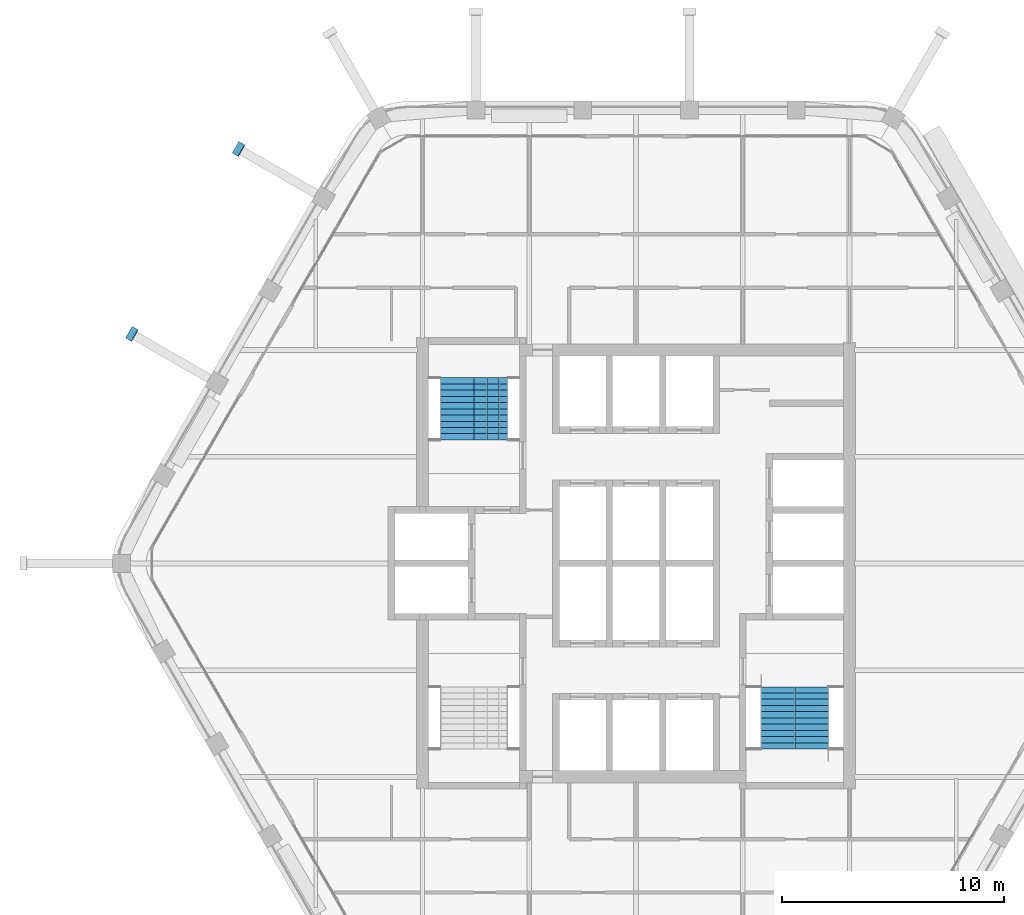
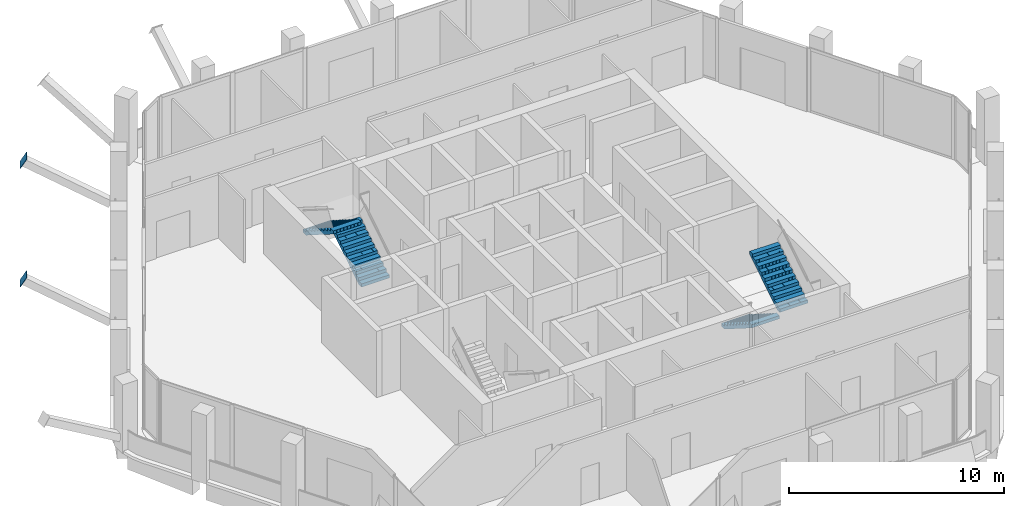
# One storey, part 11 of 14: 4 stair flights, 2 discrete accessories, 2 elements without a shape of their own.
"""IFC4 building model written with IfcOpenShell, lengths in metres."""

from ifc_helpers import new_model, si_unit, direction, frame, origin, origin_2d, place, context, subcontext, project, spatial, polyline, rectangle, outline, extrude, material, type_object, element, aggregate, save


model = new_model("IFC4")

# Units and contexts
model_context = context("Model", 3, precision=1e-05, world=origin(), true_north=direction((0.0, 1.0)))
body_context = subcontext(model_context, "Body", "Model", "MODEL_VIEW")
ifc_project = project(units=[si_unit("LENGTHUNIT", "METRE"), si_unit("AREAUNIT", "SQUARE_METRE"), si_unit("VOLUMEUNIT", "CUBIC_METRE"), si_unit("PLANEANGLEUNIT", "RADIAN"), si_unit("MASSUNIT", "GRAM", prefix="KILO")], contexts=[model_context])

# Site, building, storey
site_placement = place(None, origin())
site = spatial("IfcSite", under=ifc_project, at=site_placement, CompositionType="ELEMENT")
building_placement = place(site_placement, origin())
building = spatial("IfcBuilding", under=site, at=building_placement, Name="Kolab Exchange Tower", CompositionType="ELEMENT")
storey_placement = place(building_placement, frame((0.0, 0.0, 250.10009765625)))
storey = spatial("IfcBuildingStorey", under=building, at=storey_placement, Name="L55", CompositionType="ELEMENT", Elevation=250.10009765625)

# Stair, stair flights
ifc_material = material(Name="Concrete C50/60", Category="concrete")
stair_type_1 = type_object("IfcStairType", Name="STAIR ST1 RISER 177.3", PredefinedType="HALF_TURN_STAIR", material=ifc_material)
stair_1_placement = place(storey_placement, origin())
stair_1 = element("IfcStair", 1, at=stair_1_placement, inside=storey, type_object=stair_type_1, Name="Stair 1", PredefinedType="HALF_TURN_STAIR")
stair_flight_type = type_object("IfcStairFlightType", Name="STAIR FLIGHT 1500 RISER 177.3", PredefinedType="STRAIGHT", material=ifc_material)
stair_flight_1_placement = place(storey_placement, frame((-6.527587890625, 5.550048828125, 0.0), z_axis=(0.0, 0.0, 1.0), x_axis=(0.0, 1.0, 0.0)))
stair_flight_1 = element("IfcStairFlight", 2, at=stair_flight_1_placement, type_object=stair_flight_type, Name="ST1 flight 1", NumberOfRisers=11, NumberOfTreads=10, PredefinedType="STRAIGHT", RiserHeight=0.177272727, TreadLength=0.28, context=body_context, shape_type="SweptSolid", body=[
    extrude(outline(polyline([(0.0, 0.0), (0.0, 0.17724609375), (0.280029296875, 0.17724609375), (0.280029296875, 0.3544921875), (0.56005859375, 0.3544921875), (0.56005859375, 0.53173828125), (0.840087890625, 0.53173828125), (0.840087890625, 0.708984375), (1.1201171875, 0.708984375), (1.1201171875, 0.886474609375), (1.39990234375, 0.886474609375), (1.39990234375, 1.063720703125), (1.679931640625, 1.063720703125), (1.679931640625, 1.240966796875), (1.9599609375, 1.240966796875), (1.9599609375, 1.418212890625), (2.239990234375, 1.418212890625), (2.239990234375, 1.595458984375), (2.52001953125, 1.595458984375), (2.52001953125, 1.772705078125), (2.800048828125, 1.772705078125), (2.800048828125, 1.949951171875), (2.800048828125, 1.59521484375), (0.2802734375, 0.0), (0.0, 0.0)])), frame((0.0, 0.75, 0.0), z_axis=(0.0, -1.0, 0.0), x_axis=(1.0, 0.0, 0.0)), (0.0, 0.0, 1.0), 0.185791015625),
    extrude(outline(polyline([(0.0, 0.0), (0.0, 0.17724609375), (0.280029296875, 0.17724609375), (0.280029296875, 0.3544921875), (0.56005859375, 0.3544921875), (0.56005859375, 0.53173828125), (0.840087890625, 0.53173828125), (0.840087890625, 0.708984375), (1.1201171875, 0.708984375), (1.1201171875, 0.886474609375), (1.39990234375, 0.886474609375), (1.39990234375, 1.063720703125), (1.679931640625, 1.063720703125), (1.679931640625, 1.240966796875), (1.9599609375, 1.240966796875), (1.9599609375, 1.418212890625), (2.239990234375, 1.418212890625), (2.239990234375, 1.595458984375), (2.52001953125, 1.595458984375), (2.52001953125, 1.772705078125), (2.800048828125, 1.772705078125), (2.800048828125, 1.949951171875), (2.800048828125, 1.59521484375), (0.2802734375, 0.0), (0.0, 0.0)])), frame((0.0, 0.562255859375, 0.0), z_axis=(0.0, -1.0, 0.0), x_axis=(1.0, 0.0, 0.0)), (0.0, 0.0, 1.0), 0.185791015625),
    extrude(outline(polyline([(0.0, 0.0), (0.0, 0.17724609375), (0.280029296875, 0.17724609375), (0.280029296875, 0.3544921875), (0.56005859375, 0.3544921875), (0.56005859375, 0.53173828125), (0.840087890625, 0.53173828125), (0.840087890625, 0.708984375), (1.1201171875, 0.708984375), (1.1201171875, 0.886474609375), (1.39990234375, 0.886474609375), (1.39990234375, 1.063720703125), (1.679931640625, 1.063720703125), (1.679931640625, 1.240966796875), (1.9599609375, 1.240966796875), (1.9599609375, 1.418212890625), (2.239990234375, 1.418212890625), (2.239990234375, 1.595458984375), (2.52001953125, 1.595458984375), (2.52001953125, 1.772705078125), (2.800048828125, 1.772705078125), (2.800048828125, 1.949951171875), (2.800048828125, 1.59521484375), (0.2802734375, 0.0), (0.0, 0.0)])), frame((0.0, 0.37451171875, 0.0), z_axis=(0.0, -1.0, 0.0), x_axis=(1.0, 0.0, 0.0)), (0.0, 0.0, 1.0), 0.185791015625),
    extrude(outline(polyline([(0.0, 0.0), (0.0, 0.17724609375), (0.280029296875, 0.17724609375), (0.280029296875, 0.3544921875), (0.56005859375, 0.3544921875), (0.56005859375, 0.53173828125), (0.840087890625, 0.53173828125), (0.840087890625, 0.708984375), (1.1201171875, 0.708984375), (1.1201171875, 0.886474609375), (1.39990234375, 0.886474609375), (1.39990234375, 1.063720703125), (1.679931640625, 1.063720703125), (1.679931640625, 1.240966796875), (1.9599609375, 1.240966796875), (1.9599609375, 1.418212890625), (2.239990234375, 1.418212890625), (2.239990234375, 1.595458984375), (2.52001953125, 1.595458984375), (2.52001953125, 1.772705078125), (2.800048828125, 1.772705078125), (2.800048828125, 1.949951171875), (2.800048828125, 1.59521484375), (0.2802734375, 0.0), (0.0, 0.0)])), frame((0.0, 0.186767578125, 0.0), z_axis=(0.0, -1.0, 0.0), x_axis=(1.0, 0.0, 0.0)), (0.0, 0.0, 1.0), 0.185791015625),
    extrude(outline(polyline([(0.0, 0.0), (0.0, 0.17724609375), (0.280029296875, 0.17724609375), (0.280029296875, 0.3544921875), (0.56005859375, 0.3544921875), (0.56005859375, 0.53173828125), (0.840087890625, 0.53173828125), (0.840087890625, 0.708984375), (1.1201171875, 0.708984375), (1.1201171875, 0.886474609375), (1.39990234375, 0.886474609375), (1.39990234375, 1.063720703125), (1.679931640625, 1.063720703125), (1.679931640625, 1.240966796875), (1.9599609375, 1.240966796875), (1.9599609375, 1.418212890625), (2.239990234375, 1.418212890625), (2.239990234375, 1.595458984375), (2.52001953125, 1.595458984375), (2.52001953125, 1.772705078125), (2.800048828125, 1.772705078125), (2.800048828125, 1.949951171875), (2.800048828125, 1.59521484375), (0.2802734375, 0.0), (0.0, 0.0)])), frame((0.0, -0.0009765625, 0.0), z_axis=(0.0, -1.0, 0.0), x_axis=(1.0, 0.0, 0.0)), (0.0, 0.0, 1.0), 0.185791015625),
    extrude(outline(polyline([(0.0, 0.0), (0.0, 0.17724609375), (0.280029296875, 0.17724609375), (0.280029296875, 0.3544921875), (0.56005859375, 0.3544921875), (0.56005859375, 0.53173828125), (0.840087890625, 0.53173828125), (0.840087890625, 0.708984375), (1.1201171875, 0.708984375), (1.1201171875, 0.886474609375), (1.39990234375, 0.886474609375), (1.39990234375, 1.063720703125), (1.679931640625, 1.063720703125), (1.679931640625, 1.240966796875), (1.9599609375, 1.240966796875), (1.9599609375, 1.418212890625), (2.239990234375, 1.418212890625), (2.239990234375, 1.595458984375), (2.52001953125, 1.595458984375), (2.52001953125, 1.772705078125), (2.800048828125, 1.772705078125), (2.800048828125, 1.949951171875), (2.800048828125, 1.59521484375), (0.2802734375, 0.0), (0.0, 0.0)])), frame((0.0, -0.188720703125, 0.0), z_axis=(0.0, -1.0, 0.0), x_axis=(1.0, 0.0, 0.0)), (0.0, 0.0, 1.0), 0.185791015625),
    extrude(outline(polyline([(0.0, 0.0), (0.0, 0.17724609375), (0.280029296875, 0.17724609375), (0.280029296875, 0.3544921875), (0.56005859375, 0.3544921875), (0.56005859375, 0.53173828125), (0.840087890625, 0.53173828125), (0.840087890625, 0.708984375), (1.1201171875, 0.708984375), (1.1201171875, 0.886474609375), (1.39990234375, 0.886474609375), (1.39990234375, 1.063720703125), (1.679931640625, 1.063720703125), (1.679931640625, 1.240966796875), (1.9599609375, 1.240966796875), (1.9599609375, 1.418212890625), (2.239990234375, 1.418212890625), (2.239990234375, 1.595458984375), (2.52001953125, 1.595458984375), (2.52001953125, 1.772705078125), (2.800048828125, 1.772705078125), (2.800048828125, 1.949951171875), (2.800048828125, 1.59521484375), (0.2802734375, 0.0), (0.0, 0.0)])), frame((0.0, -0.37646484375, 0.0), z_axis=(0.0, -1.0, 0.0), x_axis=(1.0, 0.0, 0.0)), (0.0, 0.0, 1.0), 0.185791015625),
    extrude(outline(polyline([(0.0, 0.0), (0.0, 0.17724609375), (0.280029296875, 0.17724609375), (0.280029296875, 0.3544921875), (0.56005859375, 0.3544921875), (0.56005859375, 0.53173828125), (0.840087890625, 0.53173828125), (0.840087890625, 0.708984375), (1.1201171875, 0.708984375), (1.1201171875, 0.886474609375), (1.39990234375, 0.886474609375), (1.39990234375, 1.063720703125), (1.679931640625, 1.063720703125), (1.679931640625, 1.240966796875), (1.9599609375, 1.240966796875), (1.9599609375, 1.418212890625), (2.239990234375, 1.418212890625), (2.239990234375, 1.595458984375), (2.52001953125, 1.595458984375), (2.52001953125, 1.772705078125), (2.800048828125, 1.772705078125), (2.800048828125, 1.949951171875), (2.800048828125, 1.59521484375), (0.2802734375, 0.0), (0.0, 0.0)])), frame((0.0, -0.564208984375, 0.0), z_axis=(0.0, -1.0, 0.0), x_axis=(1.0, 0.0, 0.0)), (0.0, 0.0, 1.0), 0.185791015625),
])
stair_flight_2_placement = place(storey_placement, frame((-8.047607421875, 8.35009765625, 1.949951171875), z_axis=(0.0, 0.0, 1.0), x_axis=(0.0, -1.0, 0.0)))
stair_flight_2 = element("IfcStairFlight", 3, at=stair_flight_2_placement, type_object=stair_flight_type, Name="ST1 flight 2", NumberOfRisers=11, NumberOfTreads=10, PredefinedType="STRAIGHT", RiserHeight=0.177272727, TreadLength=0.28, context=body_context, shape_type="SweptSolid", body=[
    extrude(outline(polyline([(0.0, 0.0), (0.0, 0.17724609375), (0.280029296875, 0.17724609375), (0.280029296875, 0.3544921875), (0.56005859375, 0.3544921875), (0.56005859375, 0.53173828125), (0.840087890625, 0.53173828125), (0.840087890625, 0.708984375), (1.1201171875, 0.708984375), (1.1201171875, 0.886474609375), (1.39990234375, 0.886474609375), (1.39990234375, 1.063720703125), (1.679931640625, 1.063720703125), (1.679931640625, 1.240966796875), (1.9599609375, 1.240966796875), (1.9599609375, 1.418212890625), (2.239990234375, 1.418212890625), (2.239990234375, 1.595458984375), (2.52001953125, 1.595458984375), (2.52001953125, 1.772705078125), (2.800048828125, 1.772705078125), (2.800048828125, 1.949951171875), (2.800048828125, 1.59521484375), (0.2802734375, 0.0), (0.0, 0.0)])), frame((0.0, 0.75, 0.0), z_axis=(0.0, -1.0, 0.0), x_axis=(1.0, 0.0, 0.0)), (0.0, 0.0, 1.0), 0.185791015625),
    extrude(outline(polyline([(0.0, 0.0), (0.0, 0.17724609375), (0.280029296875, 0.17724609375), (0.280029296875, 0.3544921875), (0.56005859375, 0.3544921875), (0.56005859375, 0.53173828125), (0.840087890625, 0.53173828125), (0.840087890625, 0.708984375), (1.1201171875, 0.708984375), (1.1201171875, 0.886474609375), (1.39990234375, 0.886474609375), (1.39990234375, 1.063720703125), (1.679931640625, 1.063720703125), (1.679931640625, 1.240966796875), (1.9599609375, 1.240966796875), (1.9599609375, 1.418212890625), (2.239990234375, 1.418212890625), (2.239990234375, 1.595458984375), (2.52001953125, 1.595458984375), (2.52001953125, 1.772705078125), (2.800048828125, 1.772705078125), (2.800048828125, 1.949951171875), (2.800048828125, 1.59521484375), (0.2802734375, 0.0), (0.0, 0.0)])), frame((0.0, 0.562255859375, 0.0), z_axis=(0.0, -1.0, 0.0), x_axis=(1.0, 0.0, 0.0)), (0.0, 0.0, 1.0), 0.185791015625),
    extrude(outline(polyline([(0.0, 0.0), (0.0, 0.17724609375), (0.280029296875, 0.17724609375), (0.280029296875, 0.3544921875), (0.56005859375, 0.3544921875), (0.56005859375, 0.53173828125), (0.840087890625, 0.53173828125), (0.840087890625, 0.708984375), (1.1201171875, 0.708984375), (1.1201171875, 0.886474609375), (1.39990234375, 0.886474609375), (1.39990234375, 1.063720703125), (1.679931640625, 1.063720703125), (1.679931640625, 1.240966796875), (1.9599609375, 1.240966796875), (1.9599609375, 1.418212890625), (2.239990234375, 1.418212890625), (2.239990234375, 1.595458984375), (2.52001953125, 1.595458984375), (2.52001953125, 1.772705078125), (2.800048828125, 1.772705078125), (2.800048828125, 1.949951171875), (2.800048828125, 1.59521484375), (0.2802734375, 0.0), (0.0, 0.0)])), frame((0.0, 0.37451171875, 0.0), z_axis=(0.0, -1.0, 0.0), x_axis=(1.0, 0.0, 0.0)), (0.0, 0.0, 1.0), 0.185791015625),
    extrude(outline(polyline([(0.0, 0.0), (0.0, 0.17724609375), (0.280029296875, 0.17724609375), (0.280029296875, 0.3544921875), (0.56005859375, 0.3544921875), (0.56005859375, 0.53173828125), (0.840087890625, 0.53173828125), (0.840087890625, 0.708984375), (1.1201171875, 0.708984375), (1.1201171875, 0.886474609375), (1.39990234375, 0.886474609375), (1.39990234375, 1.063720703125), (1.679931640625, 1.063720703125), (1.679931640625, 1.240966796875), (1.9599609375, 1.240966796875), (1.9599609375, 1.418212890625), (2.239990234375, 1.418212890625), (2.239990234375, 1.595458984375), (2.52001953125, 1.595458984375), (2.52001953125, 1.772705078125), (2.800048828125, 1.772705078125), (2.800048828125, 1.949951171875), (2.800048828125, 1.59521484375), (0.2802734375, 0.0), (0.0, 0.0)])), frame((0.0, 0.186767578125, 0.0), z_axis=(0.0, -1.0, 0.0), x_axis=(1.0, 0.0, 0.0)), (0.0, 0.0, 1.0), 0.185791015625),
    extrude(outline(polyline([(0.0, 0.0), (0.0, 0.17724609375), (0.280029296875, 0.17724609375), (0.280029296875, 0.3544921875), (0.56005859375, 0.3544921875), (0.56005859375, 0.53173828125), (0.840087890625, 0.53173828125), (0.840087890625, 0.708984375), (1.1201171875, 0.708984375), (1.1201171875, 0.886474609375), (1.39990234375, 0.886474609375), (1.39990234375, 1.063720703125), (1.679931640625, 1.063720703125), (1.679931640625, 1.240966796875), (1.9599609375, 1.240966796875), (1.9599609375, 1.418212890625), (2.239990234375, 1.418212890625), (2.239990234375, 1.595458984375), (2.52001953125, 1.595458984375), (2.52001953125, 1.772705078125), (2.800048828125, 1.772705078125), (2.800048828125, 1.949951171875), (2.800048828125, 1.59521484375), (0.2802734375, 0.0), (0.0, 0.0)])), frame((0.0, -0.0009765625, 0.0), z_axis=(0.0, -1.0, 0.0), x_axis=(1.0, 0.0, 0.0)), (0.0, 0.0, 1.0), 0.185791015625),
    extrude(outline(polyline([(0.0, 0.0), (0.0, 0.17724609375), (0.280029296875, 0.17724609375), (0.280029296875, 0.3544921875), (0.56005859375, 0.3544921875), (0.56005859375, 0.53173828125), (0.840087890625, 0.53173828125), (0.840087890625, 0.708984375), (1.1201171875, 0.708984375), (1.1201171875, 0.886474609375), (1.39990234375, 0.886474609375), (1.39990234375, 1.063720703125), (1.679931640625, 1.063720703125), (1.679931640625, 1.240966796875), (1.9599609375, 1.240966796875), (1.9599609375, 1.418212890625), (2.239990234375, 1.418212890625), (2.239990234375, 1.595458984375), (2.52001953125, 1.595458984375), (2.52001953125, 1.772705078125), (2.800048828125, 1.772705078125), (2.800048828125, 1.949951171875), (2.800048828125, 1.59521484375), (0.2802734375, 0.0), (0.0, 0.0)])), frame((0.0, -0.188720703125, 0.0), z_axis=(0.0, -1.0, 0.0), x_axis=(1.0, 0.0, 0.0)), (0.0, 0.0, 1.0), 0.185791015625),
    extrude(outline(polyline([(0.0, 0.0), (0.0, 0.17724609375), (0.280029296875, 0.17724609375), (0.280029296875, 0.3544921875), (0.56005859375, 0.3544921875), (0.56005859375, 0.53173828125), (0.840087890625, 0.53173828125), (0.840087890625, 0.708984375), (1.1201171875, 0.708984375), (1.1201171875, 0.886474609375), (1.39990234375, 0.886474609375), (1.39990234375, 1.063720703125), (1.679931640625, 1.063720703125), (1.679931640625, 1.240966796875), (1.9599609375, 1.240966796875), (1.9599609375, 1.418212890625), (2.239990234375, 1.418212890625), (2.239990234375, 1.595458984375), (2.52001953125, 1.595458984375), (2.52001953125, 1.772705078125), (2.800048828125, 1.772705078125), (2.800048828125, 1.949951171875), (2.800048828125, 1.59521484375), (0.2802734375, 0.0), (0.0, 0.0)])), frame((0.0, -0.37646484375, 0.0), z_axis=(0.0, -1.0, 0.0), x_axis=(1.0, 0.0, 0.0)), (0.0, 0.0, 1.0), 0.185791015625),
    extrude(outline(polyline([(0.0, 0.0), (0.0, 0.17724609375), (0.280029296875, 0.17724609375), (0.280029296875, 0.3544921875), (0.56005859375, 0.3544921875), (0.56005859375, 0.53173828125), (0.840087890625, 0.53173828125), (0.840087890625, 0.708984375), (1.1201171875, 0.708984375), (1.1201171875, 0.886474609375), (1.39990234375, 0.886474609375), (1.39990234375, 1.063720703125), (1.679931640625, 1.063720703125), (1.679931640625, 1.240966796875), (1.9599609375, 1.240966796875), (1.9599609375, 1.418212890625), (2.239990234375, 1.418212890625), (2.239990234375, 1.595458984375), (2.52001953125, 1.595458984375), (2.52001953125, 1.772705078125), (2.800048828125, 1.772705078125), (2.800048828125, 1.949951171875), (2.800048828125, 1.59521484375), (0.2802734375, 0.0), (0.0, 0.0)])), frame((0.0, -0.564208984375, 0.0), z_axis=(0.0, -1.0, 0.0), x_axis=(1.0, 0.0, 0.0)), (0.0, 0.0, 1.0), 0.185791015625),
])
aggregate(stair_1, [stair_flight_1, stair_flight_2])

stair_type_2 = type_object("IfcStairType", Name="STAIR ST2 RISER 177.3", PredefinedType="HALF_TURN_STAIR", material=ifc_material)
stair_2_placement = place(storey_placement, origin())
stair_2 = element("IfcStair", 4, at=stair_2_placement, inside=storey, type_object=stair_type_2, Name="Stair 2", PredefinedType="HALF_TURN_STAIR")
stair_flight_3_placement = place(storey_placement, frame((6.37744140625, -5.550048828125, 0.0), z_axis=(0.0, 0.0, 1.0), x_axis=(0.0, -1.0, 0.0)))
stair_flight_3 = element("IfcStairFlight", 5, at=stair_flight_3_placement, type_object=stair_flight_type, Name="ST2 flight 1", NumberOfRisers=11, NumberOfTreads=10, PredefinedType="STRAIGHT", RiserHeight=0.177272727, TreadLength=0.28, context=body_context, shape_type="SweptSolid", body=[
    extrude(outline(polyline([(0.0, 0.0), (0.0, 0.17724609375), (0.280029296875, 0.17724609375), (0.280029296875, 0.3544921875), (0.56005859375, 0.3544921875), (0.56005859375, 0.53173828125), (0.840087890625, 0.53173828125), (0.840087890625, 0.708984375), (1.1201171875, 0.708984375), (1.1201171875, 0.886474609375), (1.39990234375, 0.886474609375), (1.39990234375, 1.063720703125), (1.679931640625, 1.063720703125), (1.679931640625, 1.240966796875), (1.9599609375, 1.240966796875), (1.9599609375, 1.418212890625), (2.239990234375, 1.418212890625), (2.239990234375, 1.595458984375), (2.52001953125, 1.595458984375), (2.52001953125, 1.772705078125), (2.800048828125, 1.772705078125), (2.800048828125, 1.949951171875), (2.800048828125, 1.59521484375), (0.2802734375, 0.0), (0.0, 0.0)])), frame((0.0, 0.75, 0.0), z_axis=(0.0, -1.0, 0.0), x_axis=(1.0, 0.0, 0.0)), (0.0, 0.0, 1.0), 0.185791015625),
    extrude(outline(polyline([(0.0, 0.0), (0.0, 0.17724609375), (0.280029296875, 0.17724609375), (0.280029296875, 0.3544921875), (0.56005859375, 0.3544921875), (0.56005859375, 0.53173828125), (0.840087890625, 0.53173828125), (0.840087890625, 0.708984375), (1.1201171875, 0.708984375), (1.1201171875, 0.886474609375), (1.39990234375, 0.886474609375), (1.39990234375, 1.063720703125), (1.679931640625, 1.063720703125), (1.679931640625, 1.240966796875), (1.9599609375, 1.240966796875), (1.9599609375, 1.418212890625), (2.239990234375, 1.418212890625), (2.239990234375, 1.595458984375), (2.52001953125, 1.595458984375), (2.52001953125, 1.772705078125), (2.800048828125, 1.772705078125), (2.800048828125, 1.949951171875), (2.800048828125, 1.59521484375), (0.2802734375, 0.0), (0.0, 0.0)])), frame((0.0, 0.562255859375, 0.0), z_axis=(0.0, -1.0, 0.0), x_axis=(1.0, 0.0, 0.0)), (0.0, 0.0, 1.0), 0.185791015625),
    extrude(outline(polyline([(0.0, 0.0), (0.0, 0.17724609375), (0.280029296875, 0.17724609375), (0.280029296875, 0.3544921875), (0.56005859375, 0.3544921875), (0.56005859375, 0.53173828125), (0.840087890625, 0.53173828125), (0.840087890625, 0.708984375), (1.1201171875, 0.708984375), (1.1201171875, 0.886474609375), (1.39990234375, 0.886474609375), (1.39990234375, 1.063720703125), (1.679931640625, 1.063720703125), (1.679931640625, 1.240966796875), (1.9599609375, 1.240966796875), (1.9599609375, 1.418212890625), (2.239990234375, 1.418212890625), (2.239990234375, 1.595458984375), (2.52001953125, 1.595458984375), (2.52001953125, 1.772705078125), (2.800048828125, 1.772705078125), (2.800048828125, 1.949951171875), (2.800048828125, 1.59521484375), (0.2802734375, 0.0), (0.0, 0.0)])), frame((0.0, 0.37451171875, 0.0), z_axis=(0.0, -1.0, 0.0), x_axis=(1.0, 0.0, 0.0)), (0.0, 0.0, 1.0), 0.185791015625),
    extrude(outline(polyline([(0.0, 0.0), (0.0, 0.17724609375), (0.280029296875, 0.17724609375), (0.280029296875, 0.3544921875), (0.56005859375, 0.3544921875), (0.56005859375, 0.53173828125), (0.840087890625, 0.53173828125), (0.840087890625, 0.708984375), (1.1201171875, 0.708984375), (1.1201171875, 0.886474609375), (1.39990234375, 0.886474609375), (1.39990234375, 1.063720703125), (1.679931640625, 1.063720703125), (1.679931640625, 1.240966796875), (1.9599609375, 1.240966796875), (1.9599609375, 1.418212890625), (2.239990234375, 1.418212890625), (2.239990234375, 1.595458984375), (2.52001953125, 1.595458984375), (2.52001953125, 1.772705078125), (2.800048828125, 1.772705078125), (2.800048828125, 1.949951171875), (2.800048828125, 1.59521484375), (0.2802734375, 0.0), (0.0, 0.0)])), frame((0.0, 0.186767578125, 0.0), z_axis=(0.0, -1.0, 0.0), x_axis=(1.0, 0.0, 0.0)), (0.0, 0.0, 1.0), 0.185791015625),
    extrude(outline(polyline([(0.0, 0.0), (0.0, 0.17724609375), (0.280029296875, 0.17724609375), (0.280029296875, 0.3544921875), (0.56005859375, 0.3544921875), (0.56005859375, 0.53173828125), (0.840087890625, 0.53173828125), (0.840087890625, 0.708984375), (1.1201171875, 0.708984375), (1.1201171875, 0.886474609375), (1.39990234375, 0.886474609375), (1.39990234375, 1.063720703125), (1.679931640625, 1.063720703125), (1.679931640625, 1.240966796875), (1.9599609375, 1.240966796875), (1.9599609375, 1.418212890625), (2.239990234375, 1.418212890625), (2.239990234375, 1.595458984375), (2.52001953125, 1.595458984375), (2.52001953125, 1.772705078125), (2.800048828125, 1.772705078125), (2.800048828125, 1.949951171875), (2.800048828125, 1.59521484375), (0.2802734375, 0.0), (0.0, 0.0)])), frame((0.0, -0.0009765625, 0.0), z_axis=(0.0, -1.0, 0.0), x_axis=(1.0, 0.0, 0.0)), (0.0, 0.0, 1.0), 0.185791015625),
    extrude(outline(polyline([(0.0, 0.0), (0.0, 0.17724609375), (0.280029296875, 0.17724609375), (0.280029296875, 0.3544921875), (0.56005859375, 0.3544921875), (0.56005859375, 0.53173828125), (0.840087890625, 0.53173828125), (0.840087890625, 0.708984375), (1.1201171875, 0.708984375), (1.1201171875, 0.886474609375), (1.39990234375, 0.886474609375), (1.39990234375, 1.063720703125), (1.679931640625, 1.063720703125), (1.679931640625, 1.240966796875), (1.9599609375, 1.240966796875), (1.9599609375, 1.418212890625), (2.239990234375, 1.418212890625), (2.239990234375, 1.595458984375), (2.52001953125, 1.595458984375), (2.52001953125, 1.772705078125), (2.800048828125, 1.772705078125), (2.800048828125, 1.949951171875), (2.800048828125, 1.59521484375), (0.2802734375, 0.0), (0.0, 0.0)])), frame((0.0, -0.188720703125, 0.0), z_axis=(0.0, -1.0, 0.0), x_axis=(1.0, 0.0, 0.0)), (0.0, 0.0, 1.0), 0.185791015625),
    extrude(outline(polyline([(0.0, 0.0), (0.0, 0.17724609375), (0.280029296875, 0.17724609375), (0.280029296875, 0.3544921875), (0.56005859375, 0.3544921875), (0.56005859375, 0.53173828125), (0.840087890625, 0.53173828125), (0.840087890625, 0.708984375), (1.1201171875, 0.708984375), (1.1201171875, 0.886474609375), (1.39990234375, 0.886474609375), (1.39990234375, 1.063720703125), (1.679931640625, 1.063720703125), (1.679931640625, 1.240966796875), (1.9599609375, 1.240966796875), (1.9599609375, 1.418212890625), (2.239990234375, 1.418212890625), (2.239990234375, 1.595458984375), (2.52001953125, 1.595458984375), (2.52001953125, 1.772705078125), (2.800048828125, 1.772705078125), (2.800048828125, 1.949951171875), (2.800048828125, 1.59521484375), (0.2802734375, 0.0), (0.0, 0.0)])), frame((0.0, -0.37646484375, 0.0), z_axis=(0.0, -1.0, 0.0), x_axis=(1.0, 0.0, 0.0)), (0.0, 0.0, 1.0), 0.185791015625),
    extrude(outline(polyline([(0.0, 0.0), (0.0, 0.17724609375), (0.280029296875, 0.17724609375), (0.280029296875, 0.3544921875), (0.56005859375, 0.3544921875), (0.56005859375, 0.53173828125), (0.840087890625, 0.53173828125), (0.840087890625, 0.708984375), (1.1201171875, 0.708984375), (1.1201171875, 0.886474609375), (1.39990234375, 0.886474609375), (1.39990234375, 1.063720703125), (1.679931640625, 1.063720703125), (1.679931640625, 1.240966796875), (1.9599609375, 1.240966796875), (1.9599609375, 1.418212890625), (2.239990234375, 1.418212890625), (2.239990234375, 1.595458984375), (2.52001953125, 1.595458984375), (2.52001953125, 1.772705078125), (2.800048828125, 1.772705078125), (2.800048828125, 1.949951171875), (2.800048828125, 1.59521484375), (0.2802734375, 0.0), (0.0, 0.0)])), frame((0.0, -0.564208984375, 0.0), z_axis=(0.0, -1.0, 0.0), x_axis=(1.0, 0.0, 0.0)), (0.0, 0.0, 1.0), 0.185791015625),
])
stair_flight_4_placement = place(storey_placement, frame((7.8974609375, -8.35009765625, 1.949951171875), z_axis=(0.0, 0.0, 1.0), x_axis=(0.0, 1.0, 0.0)))
stair_flight_4 = element("IfcStairFlight", 6, at=stair_flight_4_placement, type_object=stair_flight_type, Name="ST2 flight 2", NumberOfRisers=11, NumberOfTreads=10, PredefinedType="STRAIGHT", RiserHeight=0.177272727, TreadLength=0.28, context=body_context, shape_type="SweptSolid", body=[
    extrude(outline(polyline([(0.0, 0.0), (0.0, 0.17724609375), (0.280029296875, 0.17724609375), (0.280029296875, 0.3544921875), (0.56005859375, 0.3544921875), (0.56005859375, 0.53173828125), (0.840087890625, 0.53173828125), (0.840087890625, 0.708984375), (1.1201171875, 0.708984375), (1.1201171875, 0.886474609375), (1.39990234375, 0.886474609375), (1.39990234375, 1.063720703125), (1.679931640625, 1.063720703125), (1.679931640625, 1.240966796875), (1.9599609375, 1.240966796875), (1.9599609375, 1.418212890625), (2.239990234375, 1.418212890625), (2.239990234375, 1.595458984375), (2.52001953125, 1.595458984375), (2.52001953125, 1.772705078125), (2.800048828125, 1.772705078125), (2.800048828125, 1.949951171875), (2.800048828125, 1.59521484375), (0.2802734375, 0.0), (0.0, 0.0)])), frame((0.0, 0.75, 0.0), z_axis=(0.0, -1.0, 0.0), x_axis=(1.0, 0.0, 0.0)), (0.0, 0.0, 1.0), 0.185791015625),
    extrude(outline(polyline([(0.0, 0.0), (0.0, 0.17724609375), (0.280029296875, 0.17724609375), (0.280029296875, 0.3544921875), (0.56005859375, 0.3544921875), (0.56005859375, 0.53173828125), (0.840087890625, 0.53173828125), (0.840087890625, 0.708984375), (1.1201171875, 0.708984375), (1.1201171875, 0.886474609375), (1.39990234375, 0.886474609375), (1.39990234375, 1.063720703125), (1.679931640625, 1.063720703125), (1.679931640625, 1.240966796875), (1.9599609375, 1.240966796875), (1.9599609375, 1.418212890625), (2.239990234375, 1.418212890625), (2.239990234375, 1.595458984375), (2.52001953125, 1.595458984375), (2.52001953125, 1.772705078125), (2.800048828125, 1.772705078125), (2.800048828125, 1.949951171875), (2.800048828125, 1.59521484375), (0.2802734375, 0.0), (0.0, 0.0)])), frame((0.0, 0.562255859375, 0.0), z_axis=(0.0, -1.0, 0.0), x_axis=(1.0, 0.0, 0.0)), (0.0, 0.0, 1.0), 0.185791015625),
    extrude(outline(polyline([(0.0, 0.0), (0.0, 0.17724609375), (0.280029296875, 0.17724609375), (0.280029296875, 0.3544921875), (0.56005859375, 0.3544921875), (0.56005859375, 0.53173828125), (0.840087890625, 0.53173828125), (0.840087890625, 0.708984375), (1.1201171875, 0.708984375), (1.1201171875, 0.886474609375), (1.39990234375, 0.886474609375), (1.39990234375, 1.063720703125), (1.679931640625, 1.063720703125), (1.679931640625, 1.240966796875), (1.9599609375, 1.240966796875), (1.9599609375, 1.418212890625), (2.239990234375, 1.418212890625), (2.239990234375, 1.595458984375), (2.52001953125, 1.595458984375), (2.52001953125, 1.772705078125), (2.800048828125, 1.772705078125), (2.800048828125, 1.949951171875), (2.800048828125, 1.59521484375), (0.2802734375, 0.0), (0.0, 0.0)])), frame((0.0, 0.37451171875, 0.0), z_axis=(0.0, -1.0, 0.0), x_axis=(1.0, 0.0, 0.0)), (0.0, 0.0, 1.0), 0.185791015625),
    extrude(outline(polyline([(0.0, 0.0), (0.0, 0.17724609375), (0.280029296875, 0.17724609375), (0.280029296875, 0.3544921875), (0.56005859375, 0.3544921875), (0.56005859375, 0.53173828125), (0.840087890625, 0.53173828125), (0.840087890625, 0.708984375), (1.1201171875, 0.708984375), (1.1201171875, 0.886474609375), (1.39990234375, 0.886474609375), (1.39990234375, 1.063720703125), (1.679931640625, 1.063720703125), (1.679931640625, 1.240966796875), (1.9599609375, 1.240966796875), (1.9599609375, 1.418212890625), (2.239990234375, 1.418212890625), (2.239990234375, 1.595458984375), (2.52001953125, 1.595458984375), (2.52001953125, 1.772705078125), (2.800048828125, 1.772705078125), (2.800048828125, 1.949951171875), (2.800048828125, 1.59521484375), (0.2802734375, 0.0), (0.0, 0.0)])), frame((0.0, 0.186767578125, 0.0), z_axis=(0.0, -1.0, 0.0), x_axis=(1.0, 0.0, 0.0)), (0.0, 0.0, 1.0), 0.185791015625),
    extrude(outline(polyline([(0.0, 0.0), (0.0, 0.17724609375), (0.280029296875, 0.17724609375), (0.280029296875, 0.3544921875), (0.56005859375, 0.3544921875), (0.56005859375, 0.53173828125), (0.840087890625, 0.53173828125), (0.840087890625, 0.708984375), (1.1201171875, 0.708984375), (1.1201171875, 0.886474609375), (1.39990234375, 0.886474609375), (1.39990234375, 1.063720703125), (1.679931640625, 1.063720703125), (1.679931640625, 1.240966796875), (1.9599609375, 1.240966796875), (1.9599609375, 1.418212890625), (2.239990234375, 1.418212890625), (2.239990234375, 1.595458984375), (2.52001953125, 1.595458984375), (2.52001953125, 1.772705078125), (2.800048828125, 1.772705078125), (2.800048828125, 1.949951171875), (2.800048828125, 1.59521484375), (0.2802734375, 0.0), (0.0, 0.0)])), frame((0.0, -0.0009765625, 0.0), z_axis=(0.0, -1.0, 0.0), x_axis=(1.0, 0.0, 0.0)), (0.0, 0.0, 1.0), 0.185791015625),
    extrude(outline(polyline([(0.0, 0.0), (0.0, 0.17724609375), (0.280029296875, 0.17724609375), (0.280029296875, 0.3544921875), (0.56005859375, 0.3544921875), (0.56005859375, 0.53173828125), (0.840087890625, 0.53173828125), (0.840087890625, 0.708984375), (1.1201171875, 0.708984375), (1.1201171875, 0.886474609375), (1.39990234375, 0.886474609375), (1.39990234375, 1.063720703125), (1.679931640625, 1.063720703125), (1.679931640625, 1.240966796875), (1.9599609375, 1.240966796875), (1.9599609375, 1.418212890625), (2.239990234375, 1.418212890625), (2.239990234375, 1.595458984375), (2.52001953125, 1.595458984375), (2.52001953125, 1.772705078125), (2.800048828125, 1.772705078125), (2.800048828125, 1.949951171875), (2.800048828125, 1.59521484375), (0.2802734375, 0.0), (0.0, 0.0)])), frame((0.0, -0.188720703125, 0.0), z_axis=(0.0, -1.0, 0.0), x_axis=(1.0, 0.0, 0.0)), (0.0, 0.0, 1.0), 0.185791015625),
    extrude(outline(polyline([(0.0, 0.0), (0.0, 0.17724609375), (0.280029296875, 0.17724609375), (0.280029296875, 0.3544921875), (0.56005859375, 0.3544921875), (0.56005859375, 0.53173828125), (0.840087890625, 0.53173828125), (0.840087890625, 0.708984375), (1.1201171875, 0.708984375), (1.1201171875, 0.886474609375), (1.39990234375, 0.886474609375), (1.39990234375, 1.063720703125), (1.679931640625, 1.063720703125), (1.679931640625, 1.240966796875), (1.9599609375, 1.240966796875), (1.9599609375, 1.418212890625), (2.239990234375, 1.418212890625), (2.239990234375, 1.595458984375), (2.52001953125, 1.595458984375), (2.52001953125, 1.772705078125), (2.800048828125, 1.772705078125), (2.800048828125, 1.949951171875), (2.800048828125, 1.59521484375), (0.2802734375, 0.0), (0.0, 0.0)])), frame((0.0, -0.37646484375, 0.0), z_axis=(0.0, -1.0, 0.0), x_axis=(1.0, 0.0, 0.0)), (0.0, 0.0, 1.0), 0.185791015625),
    extrude(outline(polyline([(0.0, 0.0), (0.0, 0.17724609375), (0.280029296875, 0.17724609375), (0.280029296875, 0.3544921875), (0.56005859375, 0.3544921875), (0.56005859375, 0.53173828125), (0.840087890625, 0.53173828125), (0.840087890625, 0.708984375), (1.1201171875, 0.708984375), (1.1201171875, 0.886474609375), (1.39990234375, 0.886474609375), (1.39990234375, 1.063720703125), (1.679931640625, 1.063720703125), (1.679931640625, 1.240966796875), (1.9599609375, 1.240966796875), (1.9599609375, 1.418212890625), (2.239990234375, 1.418212890625), (2.239990234375, 1.595458984375), (2.52001953125, 1.595458984375), (2.52001953125, 1.772705078125), (2.800048828125, 1.772705078125), (2.800048828125, 1.949951171875), (2.800048828125, 1.59521484375), (0.2802734375, 0.0), (0.0, 0.0)])), frame((0.0, -0.564208984375, 0.0), z_axis=(0.0, -1.0, 0.0), x_axis=(1.0, 0.0, 0.0)), (0.0, 0.0, 1.0), 0.185791015625),
])
aggregate(stair_2, [stair_flight_3, stair_flight_4])

# Discrete accessories
discrete_accessory_1_placement = place(storey_placement, frame((-22.6640625, 10.313720703125, 2.968017578125), z_axis=(-0.749482689112, 0.438009363767, 0.496410612269), x_axis=(-0.504568019295, -0.863371944127, 0.0)))
element("IfcDiscreteAccessory", 7, at=discrete_accessory_1_placement, inside=storey, Name="Gusset plate", ObjectType="GUSSET PLATE", PredefinedType="USERDEFINED", context=body_context, shape_type="SweptSolid", body=[
    extrude(rectangle(XDim=0.60009765625, YDim=0.60009765625, at=origin_2d()), origin(), (0.0, 0.0, 1.0), 0.025146484375),
])
discrete_accessory_2_placement = place(storey_placement, frame((-17.864013671875, 18.627685546875, 2.968017578125), z_axis=(-0.75266264091, 0.430092937663, 0.49851681411), x_axis=(-0.496138938357, -0.868243142124, 0.0)))
element("IfcDiscreteAccessory", 8, at=discrete_accessory_2_placement, inside=storey, Name="Gusset plate", ObjectType="GUSSET PLATE", PredefinedType="USERDEFINED", context=body_context, shape_type="SweptSolid", body=[
    extrude(rectangle(XDim=0.60009765625, YDim=0.60009765625, at=origin_2d()), origin(), (0.0, 0.0, 1.0), 0.02490234375),
])

save(model, "model.ifc")
